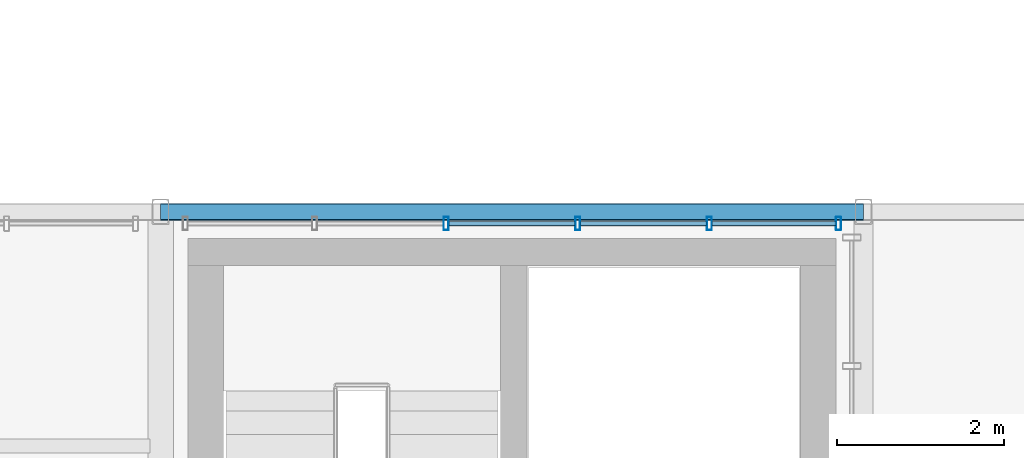
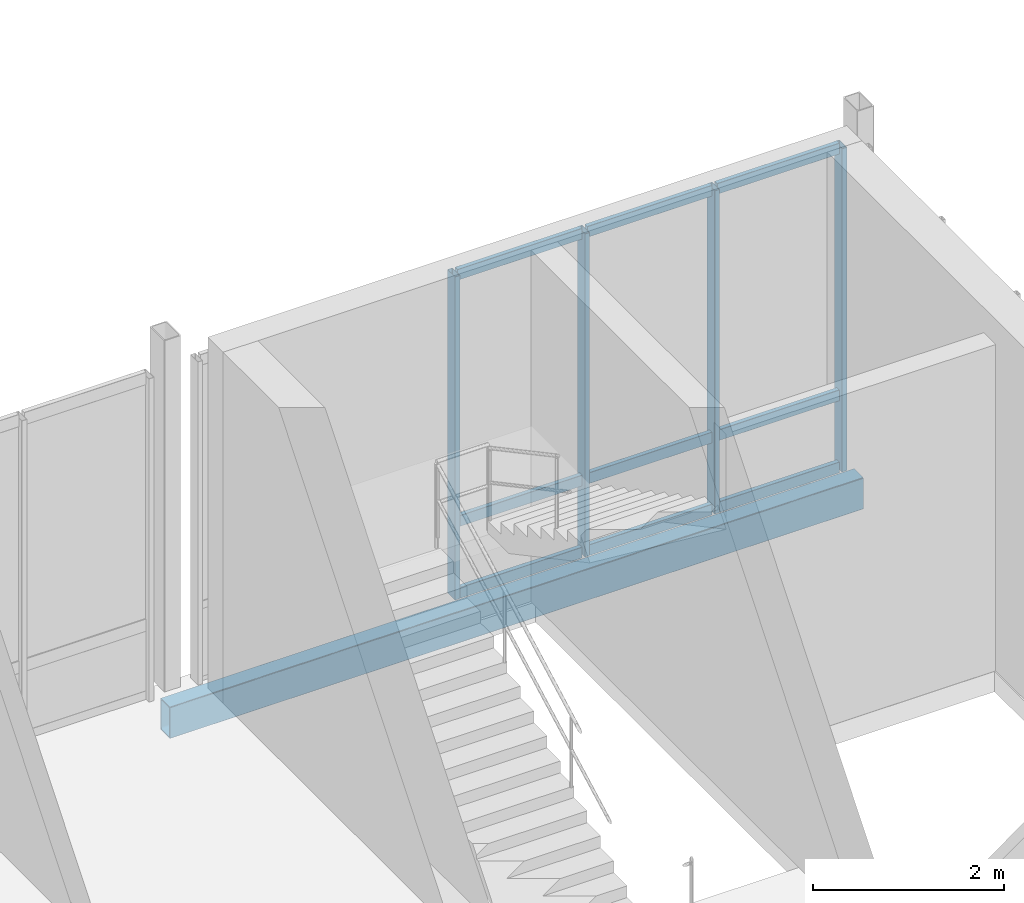
# One storey, part 15 of 68: 13 members, 1 beam, 1 element without a shape of its own.
"""IFC4 building model written with IfcOpenShell, lengths in metres."""

from ifc_helpers import new_model, si_unit, direction, frame, origin_with_axes, origin_2d_with_axis, place, context, subcontext, project, spatial, hollow_rectangle, extrude, material, material_profile, profile_set, type_object, element, aggregate, save


model = new_model("IFC4")

# Units and contexts
model_context = context("Model", 3, precision=1e-05, world=origin_with_axes(), true_north=direction((0.0, 1.0)))
body_context = subcontext(model_context, "Body", "Model", "MODEL_VIEW")
ifc_project = project(units=[si_unit("LENGTHUNIT", "METRE"), si_unit("AREAUNIT", "SQUARE_METRE"), si_unit("VOLUMEUNIT", "CUBIC_METRE"), si_unit("PLANEANGLEUNIT", "RADIAN"), si_unit("MASSUNIT", "GRAM", prefix="KILO"), si_unit("THERMODYNAMICTEMPERATUREUNIT", "KELVIN")], contexts=[model_context])

# Site, building, storey
site_placement = place(None, origin_with_axes())
site = spatial("IfcSite", under=ifc_project, at=site_placement, CompositionType="ELEMENT")
building_placement = place(site_placement, origin_with_axes())
building = spatial("IfcBuilding", under=site, at=building_placement, Name="Montbau Bow Law Courts", CompositionType="ELEMENT")
storey_placement = place(building_placement, frame((0.0, 0.0, 20.4), z_axis=(0.0, 0.0, 1.0), x_axis=(1.0, 0.0, 0.0)))
storey = spatial("IfcBuildingStorey", under=building, at=storey_placement, Name="L04", CompositionType="ELEMENT", Elevation=20.4)

# Beam
ifc_material_1 = material(Name="Steel CSA G40.21 Grade 350WT (350 MPa)", Category="steel")
ifc_material_profile_1 = material_profile(ifc_material_1, hollow_rectangle(XDim=0.203, YDim=0.406, WallThickness=0.0127, InnerFilletRadius=0.0254, OuterFilletRadius=0.0127, at=origin_2d_with_axis()), Name="HSS406X203X13", Category="Main", Priority=0)
ifc_profile_set_1 = profile_set([ifc_material_profile_1], Name="Steel CSA G40.21 Grade 350WT (350 MPa)")
beam_type = type_object("IfcBeamType", Name="B-SPN-01", PredefinedType="SPANDREL", material=ifc_profile_set_1)
beam_placement = place(None, frame((30.6, 54.6, 19.937), z_axis=(1.0, 0.0, 0.0), x_axis=(0.0, 1.0, 0.0)))
element("IfcBeam", 1, at=beam_placement, inside=storey, type_object=beam_type, Name="SPN-L04-S0635:bm2_0638", PredefinedType="SPANDREL", context=body_context, shape_type="SweptSolid", body=[
    extrude(hollow_rectangle(XDim=0.203, YDim=0.406, WallThickness=0.0127, InnerFilletRadius=0.0254, OuterFilletRadius=0.0127, at=origin_2d_with_axis()), origin_with_axes(), (0.0, 0.0, 1.0), 8.4),
])

# Curtain wall, members
ifc_material_2 = material(Name="Thermally Broken Extruded Aluminium AA 6063-T6", Category="aluminium")
curtain_wall_type = type_object("IfcCurtainWallType", Name="CW-NCK-01", PredefinedType="NOTDEFINED", material=ifc_material_2)
curtain_wall_placement = place(None, frame((30.867, 54.46, 20.4), z_axis=(0.0, 0.0, 1.0), x_axis=(1.0, 0.0, 0.0)))
curtain_wall = element("IfcCurtainWall", 2, at=curtain_wall_placement, inside=storey, type_object=curtain_wall_type, Name="CW-L04-071:cw_0071", PredefinedType="NOTDEFINED")
ifc_material_profile_2 = material_profile(ifc_material_2, hollow_rectangle(XDim=0.06, YDim=0.16, WallThickness=0.004, InnerFilletRadius=0.008, OuterFilletRadius=0.004, at=origin_2d_with_axis()), Name="CWM-160X60", Category="Main", Priority=0)
ifc_profile_set_2 = profile_set([ifc_material_profile_2], Name="Thermally Broken Extruded Aluminium AA 6063-T6")
member_type_1 = type_object("IfcMemberType", Name="M-MUL-03", PredefinedType="MULLION", material=ifc_profile_set_2)
member_1_placement = place(None, frame((34.013, 54.46, 20.4), z_axis=(0.0, 0.0, 1.0), x_axis=(1.0, 0.0, 0.0)))
member_1 = element("IfcMember", 3, at=member_1_placement, type_object=member_type_1, Name="CW-L04-071-M03:cw_0071_M03", PredefinedType="MULLION", context=body_context, shape_type="SweptSolid", body=[
    extrude(hollow_rectangle(XDim=0.06, YDim=0.16, WallThickness=0.004, InnerFilletRadius=0.008, OuterFilletRadius=0.004, at=origin_2d_with_axis()), origin_with_axes(), (0.0, 0.0, 1.0), 4.14),
])
member_2_placement = place(None, frame((35.586, 54.46, 20.4), z_axis=(0.0, 0.0, 1.0), x_axis=(1.0, 0.0, 0.0)))
member_2 = element("IfcMember", 4, at=member_2_placement, type_object=member_type_1, Name="CW-L04-071-M04:cw_0071_M04", PredefinedType="MULLION", context=body_context, shape_type="SweptSolid", body=[
    extrude(hollow_rectangle(XDim=0.06, YDim=0.16, WallThickness=0.004, InnerFilletRadius=0.008, OuterFilletRadius=0.004, at=origin_2d_with_axis()), origin_with_axes(), (0.0, 0.0, 1.0), 4.14),
])
member_3_placement = place(None, frame((37.159, 54.46, 20.4), z_axis=(0.0, 0.0, 1.0), x_axis=(1.0, 0.0, 0.0)))
member_3 = element("IfcMember", 5, at=member_3_placement, type_object=member_type_1, Name="CW-L04-071-M05:cw_0071_M05", PredefinedType="MULLION", context=body_context, shape_type="SweptSolid", body=[
    extrude(hollow_rectangle(XDim=0.06, YDim=0.16, WallThickness=0.004, InnerFilletRadius=0.008, OuterFilletRadius=0.004, at=origin_2d_with_axis()), origin_with_axes(), (0.0, 0.0, 1.0), 4.14),
])
member_4_placement = place(None, frame((38.702, 54.46, 20.4), z_axis=(0.0, 0.0, 1.0), x_axis=(1.0, 0.0, 0.0)))
member_4 = element("IfcMember", 6, at=member_4_placement, type_object=member_type_1, Name="CW-L04-071-M06:cw_0071_M06", PredefinedType="MULLION", context=body_context, shape_type="SweptSolid", body=[
    extrude(hollow_rectangle(XDim=0.06, YDim=0.16, WallThickness=0.004, InnerFilletRadius=0.008, OuterFilletRadius=0.004, at=origin_2d_with_axis()), origin_with_axes(), (0.0, 0.0, 1.0), 4.14),
])
ifc_material_profile_3 = material_profile(ifc_material_2, hollow_rectangle(XDim=0.055, YDim=0.14, WallThickness=0.004, InnerFilletRadius=0.008, OuterFilletRadius=0.004, at=origin_2d_with_axis()), Name="CWT-140X55", Category="Main", Priority=0)
ifc_profile_set_3 = profile_set([ifc_material_profile_3], Name="Thermally Broken Extruded Aluminium AA 6063-T6")
member_type_2 = type_object("IfcMemberType", Name="M-TRN-02", PredefinedType="USERDEFINED", material=ifc_profile_set_3)
member_5_placement = place(None, frame((34.045, 54.46, 20.427), z_axis=(1.0, 0.0, 0.0), x_axis=(0.0, 1.0, 0.0)))
member_5 = element("IfcMember", 7, at=member_5_placement, type_object=member_type_2, Name="CW-L04-071-T03-1:cw_0071_T03_1", ObjectType="TRANSOM", PredefinedType="USERDEFINED", context=body_context, shape_type="SweptSolid", body=[
    extrude(hollow_rectangle(XDim=0.055, YDim=0.14, WallThickness=0.004, InnerFilletRadius=0.008, OuterFilletRadius=0.004, at=origin_2d_with_axis()), origin_with_axes(), (0.0, 0.0, 1.0), 1.509),
])
member_6_placement = place(None, frame((34.045, 54.46, 21.35), z_axis=(1.0, 0.0, 0.0), x_axis=(0.0, 1.0, 0.0)))
member_6 = element("IfcMember", 8, at=member_6_placement, type_object=member_type_2, Name="CW-L04-071-T03-2:cw_0071_T03_2", ObjectType="TRANSOM", PredefinedType="USERDEFINED", context=body_context, shape_type="SweptSolid", body=[
    extrude(hollow_rectangle(XDim=0.055, YDim=0.14, WallThickness=0.004, InnerFilletRadius=0.008, OuterFilletRadius=0.004, at=origin_2d_with_axis()), origin_with_axes(), (0.0, 0.0, 1.0), 1.509),
])
member_7_placement = place(None, frame((34.045, 54.46, 24.512), z_axis=(1.0, 0.0, 0.0), x_axis=(0.0, 1.0, 0.0)))
member_7 = element("IfcMember", 9, at=member_7_placement, type_object=member_type_2, Name="CW-L04-071-T03-3:cw_0071_T03_3", ObjectType="TRANSOM", PredefinedType="USERDEFINED", context=body_context, shape_type="SweptSolid", body=[
    extrude(hollow_rectangle(XDim=0.055, YDim=0.14, WallThickness=0.004, InnerFilletRadius=0.008, OuterFilletRadius=0.004, at=origin_2d_with_axis()), origin_with_axes(), (0.0, 0.0, 1.0), 1.509),
])
member_8_placement = place(None, frame((35.618, 54.46, 20.427), z_axis=(1.0, 0.0, 0.0), x_axis=(0.0, 1.0, 0.0)))
member_8 = element("IfcMember", 10, at=member_8_placement, type_object=member_type_2, Name="CW-L04-071-T04-1:cw_0071_T04_1", ObjectType="TRANSOM", PredefinedType="USERDEFINED", context=body_context, shape_type="SweptSolid", body=[
    extrude(hollow_rectangle(XDim=0.055, YDim=0.14, WallThickness=0.004, InnerFilletRadius=0.008, OuterFilletRadius=0.004, at=origin_2d_with_axis()), origin_with_axes(), (0.0, 0.0, 1.0), 1.509),
])
member_9_placement = place(None, frame((35.618, 54.46, 21.35), z_axis=(1.0, 0.0, 0.0), x_axis=(0.0, 1.0, 0.0)))
member_9 = element("IfcMember", 11, at=member_9_placement, type_object=member_type_2, Name="CW-L04-071-T04-2:cw_0071_T04_2", ObjectType="TRANSOM", PredefinedType="USERDEFINED", context=body_context, shape_type="SweptSolid", body=[
    extrude(hollow_rectangle(XDim=0.055, YDim=0.14, WallThickness=0.004, InnerFilletRadius=0.008, OuterFilletRadius=0.004, at=origin_2d_with_axis()), origin_with_axes(), (0.0, 0.0, 1.0), 1.509),
])
member_10_placement = place(None, frame((35.618, 54.46, 24.512), z_axis=(1.0, 0.0, 0.0), x_axis=(0.0, 1.0, 0.0)))
member_10 = element("IfcMember", 12, at=member_10_placement, type_object=member_type_2, Name="CW-L04-071-T04-3:cw_0071_T04_3", ObjectType="TRANSOM", PredefinedType="USERDEFINED", context=body_context, shape_type="SweptSolid", body=[
    extrude(hollow_rectangle(XDim=0.055, YDim=0.14, WallThickness=0.004, InnerFilletRadius=0.008, OuterFilletRadius=0.004, at=origin_2d_with_axis()), origin_with_axes(), (0.0, 0.0, 1.0), 1.509),
])
member_11_placement = place(None, frame((37.191, 54.46, 20.427), z_axis=(1.0, 0.0, 0.0), x_axis=(0.0, 1.0, 0.0)))
member_11 = element("IfcMember", 13, at=member_11_placement, type_object=member_type_2, Name="CW-L04-071-T05-1:cw_0071_T05_1", ObjectType="TRANSOM", PredefinedType="USERDEFINED", context=body_context, shape_type="SweptSolid", body=[
    extrude(hollow_rectangle(XDim=0.055, YDim=0.14, WallThickness=0.004, InnerFilletRadius=0.008, OuterFilletRadius=0.004, at=origin_2d_with_axis()), origin_with_axes(), (0.0, 0.0, 1.0), 1.479),
])
member_12_placement = place(None, frame((37.191, 54.46, 21.35), z_axis=(1.0, 0.0, 0.0), x_axis=(0.0, 1.0, 0.0)))
member_12 = element("IfcMember", 14, at=member_12_placement, type_object=member_type_2, Name="CW-L04-071-T05-2:cw_0071_T05_2", ObjectType="TRANSOM", PredefinedType="USERDEFINED", context=body_context, shape_type="SweptSolid", body=[
    extrude(hollow_rectangle(XDim=0.055, YDim=0.14, WallThickness=0.004, InnerFilletRadius=0.008, OuterFilletRadius=0.004, at=origin_2d_with_axis()), origin_with_axes(), (0.0, 0.0, 1.0), 1.479),
])
member_13_placement = place(None, frame((37.191, 54.46, 24.512), z_axis=(1.0, 0.0, 0.0), x_axis=(0.0, 1.0, 0.0)))
member_13 = element("IfcMember", 15, at=member_13_placement, type_object=member_type_2, Name="CW-L04-071-T05-3:cw_0071_T05_3", ObjectType="TRANSOM", PredefinedType="USERDEFINED", context=body_context, shape_type="SweptSolid", body=[
    extrude(hollow_rectangle(XDim=0.055, YDim=0.14, WallThickness=0.004, InnerFilletRadius=0.008, OuterFilletRadius=0.004, at=origin_2d_with_axis()), origin_with_axes(), (0.0, 0.0, 1.0), 1.479),
])
aggregate(curtain_wall, [member_1, member_2, member_3, member_4, member_5, member_6, member_7, member_8, member_9, member_10, member_11, member_12, member_13])

save(model, "model.ifc")
